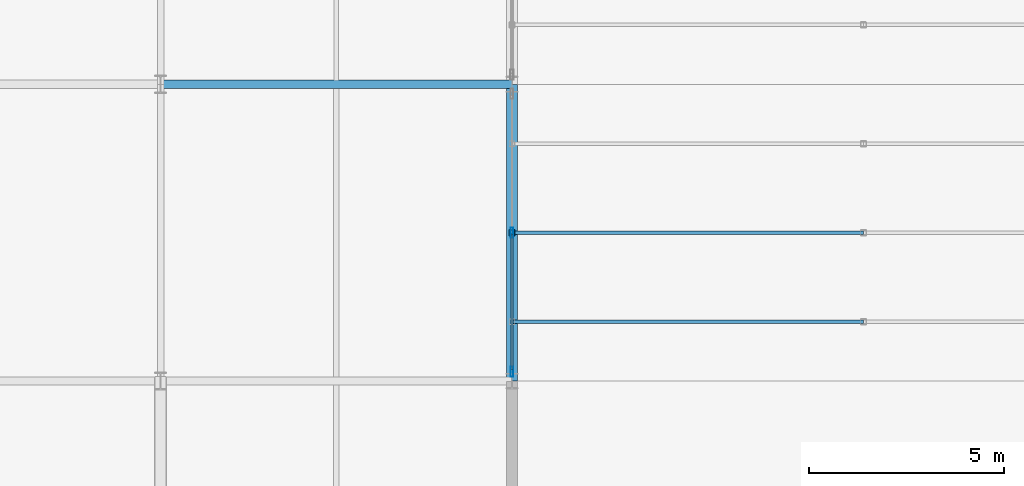
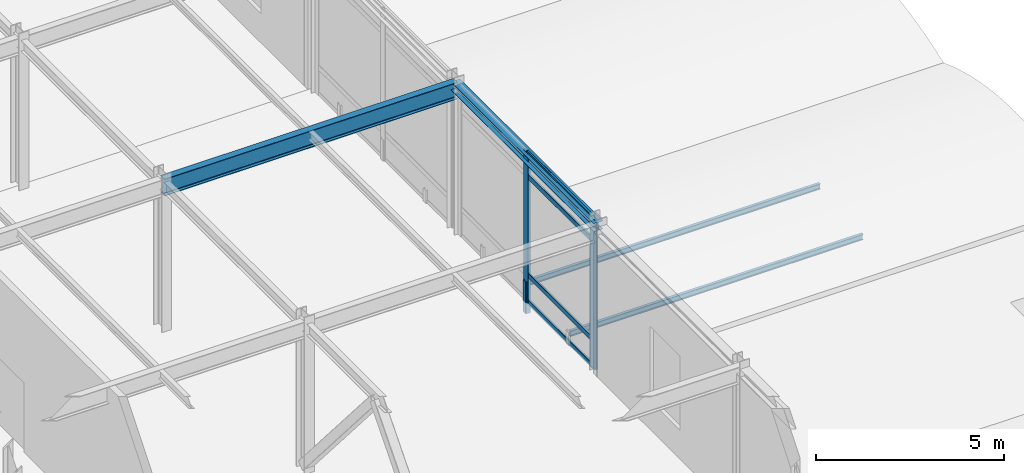
# One storey, part 61 of 113: 9 members, 2 beams, 1 element without a shape of its own.
"""IFC4 building model written with IfcOpenShell, lengths in metres."""

from ifc_helpers import new_model, si_unit, direction, frame, origin, origin_2d, place, context, subcontext, project, spatial, hollow_rectangle, i_section, extrude, material, layer, layer_set, material_profile, profile_set, type_object, element, aggregate, save


model = new_model("IFC4")

# Units and contexts
model_context = context("Model", 3, precision=1e-05, world=origin(), true_north=direction((0.0, 1.0)))
body_context = subcontext(model_context, "Body", "Model", "MODEL_VIEW")
ifc_project = project(units=[si_unit("LENGTHUNIT", "METRE"), si_unit("AREAUNIT", "SQUARE_METRE"), si_unit("VOLUMEUNIT", "CUBIC_METRE"), si_unit("PLANEANGLEUNIT", "RADIAN"), si_unit("MASSUNIT", "GRAM", prefix="KILO")], contexts=[model_context])

# Site, building, storey
site_placement = place(None, origin())
site = spatial("IfcSite", under=ifc_project, at=site_placement, CompositionType="ELEMENT")
building_placement = place(site_placement, origin())
building = spatial("IfcBuilding", under=site, at=building_placement, Name="Shalkamar Park Central Library", CompositionType="ELEMENT")
storey_placement = place(building_placement, frame((0.0, 0.0, 5.39990234375)))
storey = spatial("IfcBuildingStorey", under=building, at=storey_placement, Name="L02", CompositionType="ELEMENT", Elevation=5.39990234375)

# Curtain wall, members
ifc_material_1 = material(Name="Thermally broken aluminium and triple low-e curtain wall", Category="aluminium")
ifc_layer = layer(ifc_material_1, 0.260009765625)
ifc_layer_set = layer_set([ifc_layer], Name="UnitisedCurtainWall_37")
curtain_wall_type = type_object("IfcCurtainWallType", Name="Unitised Curtain Wall 37", PredefinedType="USERDEFINED", material=ifc_layer_set)
curtain_wall_placement = place(storey_placement, origin())
curtain_wall = element("IfcCurtainWall", 1, at=curtain_wall_placement, inside=storey, type_object=curtain_wall_type, Name="Unitised Curtain Wall CW-L02-043", ObjectType="UNITISED CURTAIN WALL", PredefinedType="USERDEFINED")
ifc_material_2 = material(Name="Aluminium 6060-T66", Category="aluminium")
ifc_material_profile_1 = material_profile(ifc_material_2, hollow_rectangle(XDim=0.074951171875, YDim=0.260009765625, WallThickness=0.00439453125, InnerFilletRadius=0.00439453125, OuterFilletRadius=0.0068359375, at=origin_2d()), Name="ALU 75x260x4.5")
ifc_profile_set_1 = profile_set([ifc_material_profile_1], Name="Aluminium 6060-T66")
member_type_1 = type_object("IfcMemberType", Name="Curtain Wall Mullion ALU75x260", PredefinedType="MULLION", material=ifc_profile_set_1)
member_1_placement = place(storey_placement, frame((273.0, 278.241455078125, 0.0), z_axis=(0.0, 0.0, 1.0), x_axis=(-1.0, 0.0, 0.0)))
member_1 = element("IfcMember", 2, at=member_1_placement, type_object=member_type_1, Name="CW-37 mullion 1", PredefinedType="MULLION", context=body_context, shape_type="SweptSolid", body=[
    extrude(hollow_rectangle(XDim=0.074951171875, YDim=0.260009765625, WallThickness=0.00439453125, InnerFilletRadius=0.00439453125, OuterFilletRadius=0.0068359375, at=origin_2d()), origin(), (0.0, 0.0, 1.0), 4.860107421875),
])
member_2_placement = place(storey_placement, frame((273.0, 281.800048828125, 0.0), z_axis=(0.0, 0.0, 1.0), x_axis=(-1.0, 0.0, 0.0)))
member_2 = element("IfcMember", 3, at=member_2_placement, type_object=member_type_1, Name="CW-37 mullion 2", PredefinedType="MULLION", context=body_context, shape_type="SweptSolid", body=[
    extrude(hollow_rectangle(XDim=0.074951171875, YDim=0.260009765625, WallThickness=0.00439453125, InnerFilletRadius=0.00439453125, OuterFilletRadius=0.0068359375, at=origin_2d()), origin(), (0.0, 0.0, 1.0), 4.860107421875),
])
ifc_material_profile_2 = material_profile(ifc_material_2, hollow_rectangle(XDim=0.06005859375, YDim=0.1650390625, WallThickness=0.00390625, InnerFilletRadius=0.00390625, OuterFilletRadius=0.006103515625, at=origin_2d()), Name="ALU 60x165x4")
ifc_profile_set_2 = profile_set([ifc_material_profile_2], Name="Aluminium 6060-T66")
member_type_2 = type_object("IfcMemberType", Name="Curtain Wall Transom ALU60x165", PredefinedType="USERDEFINED", material=ifc_profile_set_2)
member_3_placement = place(storey_placement, frame((273.0, 278.279052734375, 0.030029296875), z_axis=(0.0, 1.0, 0.0), x_axis=(-1.0, 0.0, 0.0)))
member_3 = element("IfcMember", 4, at=member_3_placement, type_object=member_type_2, Name="CW-37 transom 1.1", ObjectType="TRANSOM", PredefinedType="USERDEFINED", context=body_context, shape_type="SweptSolid", body=[
    extrude(hollow_rectangle(XDim=0.06005859375, YDim=0.1650390625, WallThickness=0.00390625, InnerFilletRadius=0.00390625, OuterFilletRadius=0.006103515625, at=origin_2d()), origin(), (0.0, 0.0, 1.0), 3.4833984375),
])
member_4_placement = place(storey_placement, frame((273.0, 278.279052734375, 0.900146484375), z_axis=(0.0, 1.0, 0.0), x_axis=(-1.0, 0.0, 0.0)))
member_4 = element("IfcMember", 5, at=member_4_placement, type_object=member_type_2, Name="CW-37 transom 1.2", ObjectType="TRANSOM", PredefinedType="USERDEFINED", context=body_context, shape_type="SweptSolid", body=[
    extrude(hollow_rectangle(XDim=0.06005859375, YDim=0.1650390625, WallThickness=0.00390625, InnerFilletRadius=0.00390625, OuterFilletRadius=0.006103515625, at=origin_2d()), origin(), (0.0, 0.0, 1.0), 3.4833984375),
])
member_5_placement = place(storey_placement, frame((273.0, 278.279052734375, 4.110107421875), z_axis=(0.0, 1.0, 0.0), x_axis=(-1.0, 0.0, 0.0)))
member_5 = element("IfcMember", 6, at=member_5_placement, type_object=member_type_2, Name="CW-37 transom 1.3", ObjectType="TRANSOM", PredefinedType="USERDEFINED", context=body_context, shape_type="SweptSolid", body=[
    extrude(hollow_rectangle(XDim=0.06005859375, YDim=0.1650390625, WallThickness=0.00390625, InnerFilletRadius=0.00390625, OuterFilletRadius=0.006103515625, at=origin_2d()), origin(), (0.0, 0.0, 1.0), 3.4833984375),
])
member_6_placement = place(storey_placement, frame((273.0, 278.279052734375, 4.830078125), z_axis=(0.0, 1.0, 0.0), x_axis=(-1.0, 0.0, 0.0)))
member_6 = element("IfcMember", 7, at=member_6_placement, type_object=member_type_2, Name="CW-37 transom 1.4", ObjectType="TRANSOM", PredefinedType="USERDEFINED", context=body_context, shape_type="SweptSolid", body=[
    extrude(hollow_rectangle(XDim=0.06005859375, YDim=0.1650390625, WallThickness=0.00390625, InnerFilletRadius=0.00390625, OuterFilletRadius=0.006103515625, at=origin_2d()), origin(), (0.0, 0.0, 1.0), 3.4833984375),
])
aggregate(curtain_wall, [member_1, member_2, member_3, member_4, member_5, member_6])

# Member
ifc_material_3 = material(Name="Steel S355", Category="steel")
ifc_material_profile_3 = material_profile(ifc_material_3, hollow_rectangle(XDim=0.14990234375, YDim=0.14990234375, WallThickness=0.008056640625, InnerFilletRadius=0.008056640625, OuterFilletRadius=0.011962890625, at=origin_2d()), Name="SHS 150x150x8")
ifc_profile_set_3 = profile_set([ifc_material_profile_3], Name="Steel S355")
member_type_3 = type_object("IfcMemberType", Name="Diagonal Brace SHS150", PredefinedType="BRACE", material=ifc_profile_set_3)
member_7_placement = place(storey_placement, frame((273.0, 281.800048828125, -0.35986328125), z_axis=(0.0, 0.0, 1.0), x_axis=(1.0, 0.0, 0.0)))
element("IfcMember", 8, at=member_7_placement, inside=storey, type_object=member_type_3, Name="Vault Arch Post BV-L01-E4-20.2", PredefinedType="BRACE", context=body_context, shape_type="SweptSolid", body=[
    extrude(hollow_rectangle(XDim=0.14990234375, YDim=0.14990234375, WallThickness=0.008056640625, InnerFilletRadius=0.008056640625, OuterFilletRadius=0.011962890625, at=origin_2d()), origin(), (0.0, 0.0, 1.0), 1.0400390625),
])

# Beams
ifc_material_profile_4 = material_profile(ifc_material_3, i_section(OverallWidth=0.280029296875, OverallDepth=0.27001953125, WebThickness=0.008056640625, FlangeThickness=0.012939453125, FilletRadius=0.02392578125, at=origin_2d()), Name="HEA 280")
ifc_profile_set_4 = profile_set([ifc_material_profile_4], Name="Steel S355")
beam_type_1 = type_object("IfcBeamType", Name="Perimeter Spandrel Beam HEA280", PredefinedType="SPANDREL", material=ifc_profile_set_4)
beam_1_placement = place(storey_placement, frame((273.0, 278.0, 4.72509765625), z_axis=(0.0, 1.0, 0.0), x_axis=(-1.0, 0.0, 0.0)))
element("IfcBeam", 9, at=beam_1_placement, inside=storey, type_object=beam_type_1, Name="Beam 20:F-G (L02)", PredefinedType="SPANDREL", context=body_context, shape_type="SweptSolid", body=[
    extrude(i_section(OverallWidth=0.280029296875, OverallDepth=0.27001953125, WebThickness=0.008056640625, FlangeThickness=0.012939453125, FilletRadius=0.02392578125, at=origin_2d()), origin(), (0.0, 0.0, 1.0), 7.60009765625),
])
ifc_material_profile_5 = material_profile(ifc_material_3, i_section(OverallWidth=0.2099609375, OverallDepth=0.550048828125, WebThickness=0.010986328125, FlangeThickness=0.01708984375, FilletRadius=0.02392578125, at=origin_2d()), Name="IPE 550")
ifc_profile_set_5 = profile_set([ifc_material_profile_5], Name="Steel S355")
beam_type_2 = type_object("IfcBeamType", Name="Primary Girder IPE550", PredefinedType="BEAM", material=ifc_profile_set_5)
beam_2_placement = place(storey_placement, frame((264.0, 285.60009765625, 4.585205078125), z_axis=(1.0, 0.0, 0.0), x_axis=(0.0, 1.0, 0.0)))
element("IfcBeam", 10, at=beam_2_placement, inside=storey, type_object=beam_type_2, Name="Beam G:19-20 (L02)", PredefinedType="BEAM", context=body_context, shape_type="SweptSolid", body=[
    extrude(i_section(OverallWidth=0.2099609375, OverallDepth=0.550048828125, WebThickness=0.010986328125, FlangeThickness=0.01708984375, FilletRadius=0.02392578125, at=origin_2d()), origin(), (0.0, 0.0, 1.0), 9.0),
])

# Members
ifc_material_profile_6 = material_profile(ifc_material_3, i_section(OverallWidth=0.091064453125, OverallDepth=0.179931640625, WebThickness=0.00537109375, FlangeThickness=0.008056640625, FilletRadius=0.009033203125, at=origin_2d()), Name="IPE 180")
ifc_profile_set_6 = profile_set([ifc_material_profile_6], Name="Steel S355")
member_type_4 = type_object("IfcMemberType", Name="Roof Purlin IPE180", PredefinedType="PURLIN", material=ifc_profile_set_6)
for number, where, z_axis, x_axis, name in (
    (11, (273.0, 279.52001953125, 0.330810546875), (1.0, 0.0, 0.0), (0.0, 1.0, 0.0), "Barrel Roof Purlin BV-L01-E4-1.20"),
    (12, (273.0, 281.800048828125, 0.590087890625), (1.0, 0.0, 0.0), (0.0, 1.0, 0.0), "Barrel Roof Purlin BV-L01-E4-2.20"),
):
    element("IfcMember", number, at=place(storey_placement, frame(where, z_axis=z_axis, x_axis=x_axis)), inside=storey, type_object=member_type_4, Name=name, PredefinedType="PURLIN", context=body_context, shape_type="SweptSolid", body=[
        extrude(i_section(OverallWidth=0.091064453125, OverallDepth=0.179931640625, WebThickness=0.00537109375, FlangeThickness=0.008056640625, FilletRadius=0.009033203125, at=origin_2d()), origin(), (0.0, 0.0, 1.0), 9.0),
    ])

save(model, "model.ifc")
